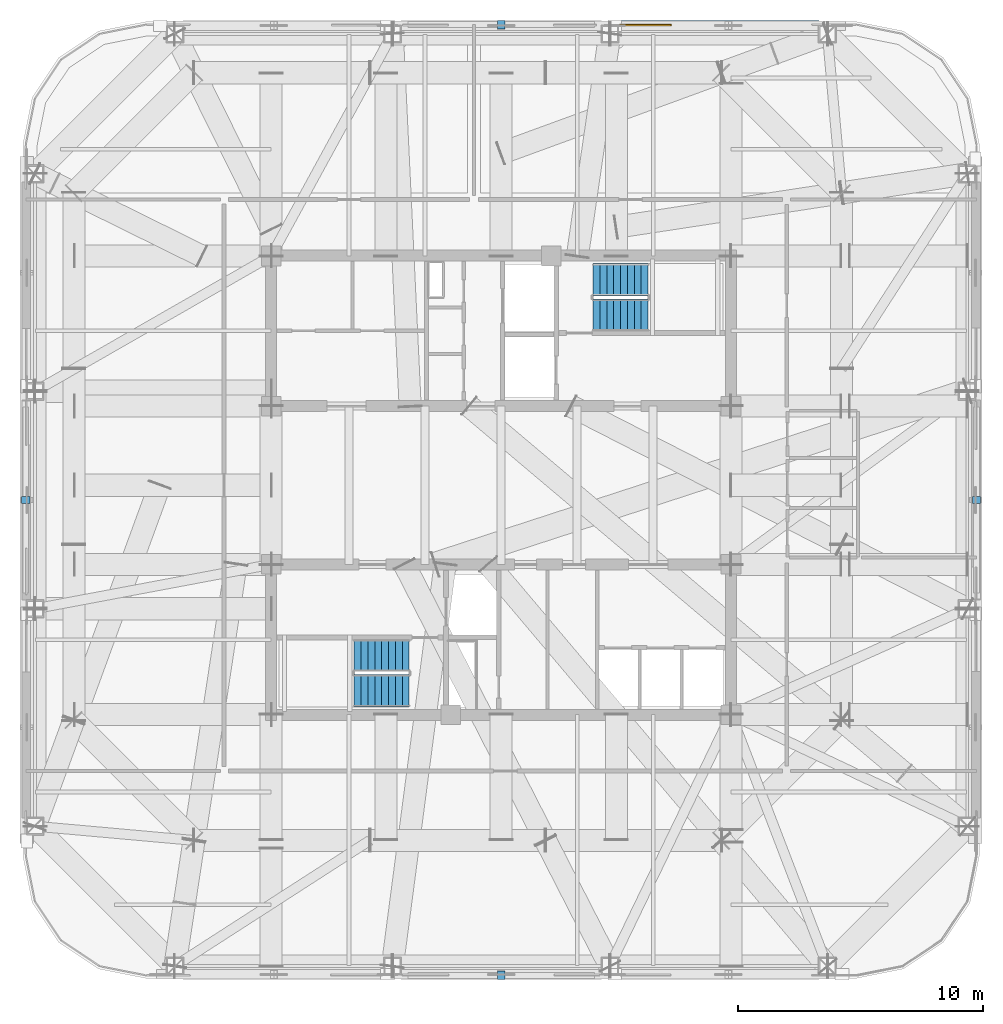
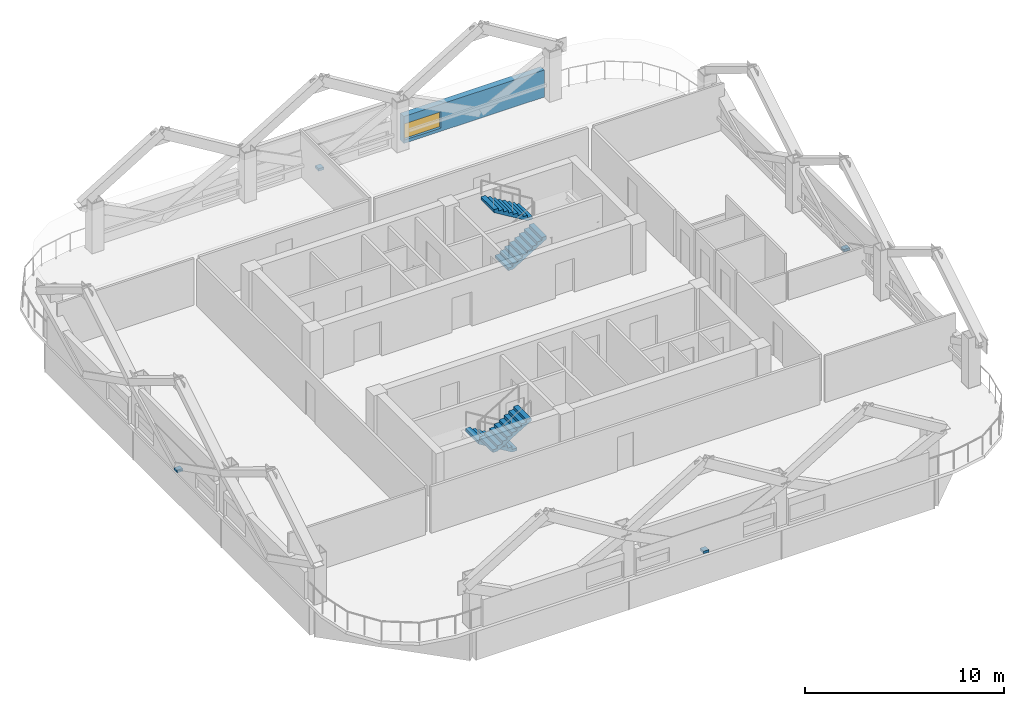
# One storey, part 8 of 11: 4 discrete accessories, 4 stair flights, 1 wall, 1 window, 1 opening, 2 elements without a shape of their own.
"""IFC4 building model written with IfcOpenShell, lengths in metres."""

from ifc_helpers import new_model, si_unit, direction, frame, frame_2d, origin, origin_2d, place, context, subcontext, project, spatial, polyline, rectangle, outline, extrude, material, layer, layer_set, type_object, element, fill, aggregate, save


model = new_model("IFC4")

# Units and contexts
model_context = context("Model", 3, precision=1e-05, world=origin(), true_north=direction((0.0, 1.0)))
body_context = subcontext(model_context, "Body", "Model", "MODEL_VIEW")
ifc_project = project(units=[si_unit("LENGTHUNIT", "METRE"), si_unit("AREAUNIT", "SQUARE_METRE"), si_unit("VOLUMEUNIT", "CUBIC_METRE"), si_unit("PLANEANGLEUNIT", "RADIAN"), si_unit("MASSUNIT", "GRAM", prefix="KILO")], contexts=[model_context])

# Site, building, storey
site_placement = place(None, origin())
site = spatial("IfcSite", under=ifc_project, at=site_placement, CompositionType="ELEMENT")
building_placement = place(site_placement, origin())
building = spatial("IfcBuilding", under=site, at=building_placement, Name="Qhalaya Broadcast Tower", CompositionType="ELEMENT")
storey_placement = place(building_placement, frame((0.0, 0.0, 199.5)))
storey = spatial("IfcBuildingStorey", under=building, at=storey_placement, Name="L58", CompositionType="ELEMENT", Elevation=199.5)

# Wall, opening, window
ifc_material_1 = material(Name="Precast Concrete C40/50", Category="concrete")
ifc_layer = layer(ifc_material_1, 0.360107421875, Name="Precast Concrete C40/50")
ifc_layer_set = layer_set([ifc_layer], Name="Precast Concrete C40/50")
wall_type = type_object("IfcWallType", Name="Insulated Precast Terracotta Exterior Wall 360", PredefinedType="SOLIDWALL", material=ifc_layer_set)
wall_placement = place(storey_placement, frame((4.783203125, 19.360107421875, 0.0), z_axis=(0.0, 0.0, 1.0), x_axis=(1.0, 0.0, 0.0)))
wall = element("IfcWall", 1, at=wall_placement, inside=storey, type_object=wall_type, Name="L58 Exoskeleton Diagrid Infill Wall N3", PredefinedType="SOLIDWALL", context=body_context, shape_type="SweptSolid", body=[
    extrude(rectangle(XDim=8.1787109375, YDim=0.360107421875, at=frame_2d((4.08935546875, 0.0))), origin(), (0.0, 0.0, 1.0), 1.662109375),
])
opening_placement = place(wall_placement, frame((0.054931640625, 0.0, 0.199951171875)))
opening = element("IfcOpeningElement", 2, at=opening_placement, cuts=wall, Name="Opening W13", PredefinedType="OPENING", context=body_context, shape_type="SweptSolid", body=[
    extrude(rectangle(XDim=2.10009765625, YDim=1.0, at=frame_2d((1.050048828125, 0.5))), frame((0.0, 0.192138671875, 0.0), z_axis=(0.0, -1.0, 0.0), x_axis=(1.0, 0.0, 0.0)), (0.0, 0.0, 1.0), 0.384033203125),
])
ifc_material_2 = material(Name="Solar-Control Low-E Triple Glazing", Category="glass")
window_type = type_object("IfcWindowType", Name="Upper-Block Diagrid Infill Window W13", PartitioningType="SINGLE_PANEL", PredefinedType="WINDOW", material=ifc_material_2)
window_placement = place(opening_placement, origin())
window = element("IfcWindow", 3, at=window_placement, inside=storey, type_object=window_type, Name="L58 Diagrid Infill Window W13-N4", OverallHeight=1.0, OverallWidth=2.10009765625, PartitioningType="SINGLE_PANEL", PredefinedType="WINDOW", context=body_context, shape_type="SweptSolid", body=[
    extrude(rectangle(XDim=2.10009765625, YDim=1.0, at=frame_2d((1.050048828125, 0.5))), frame((0.0, 0.030029296875, 0.0), z_axis=(0.0, -1.0, 0.0), x_axis=(1.0, 0.0, 0.0)), (0.0, 0.0, 1.0), 0.06005859375),
])
fill(opening, window)

# Stair, stair flights
ifc_material_3 = material(Name="Concrete C40/50", Category="concrete")
stair_type = type_object("IfcStairType", Name="Protected Dogleg Core Stair 3150", PredefinedType="TWO_STRAIGHT_RUN_STAIR", material=ifc_material_3)
stair_1_placement = place(storey_placement, origin())
stair_1 = element("IfcStair", 4, at=stair_1_placement, inside=storey, type_object=stair_type, Name="L58 North Core Exit Stair ST-1", PredefinedType="TWO_STRAIGHT_RUN_STAIR")
stair_flight_type = type_object("IfcStairFlightType", Name="Precast Concrete Stair Flight 3150", PredefinedType="STRAIGHT", material=ifc_material_1)
stair_flight_1_placement = place(storey_placement, frame((3.75, 7.5400390625, 0.0), z_axis=(0.0, 0.0, 1.0), x_axis=(1.0, 0.0, 0.0)))
stair_flight_1 = element("IfcStairFlight", 5, at=stair_flight_1_placement, type_object=stair_flight_type, Name="ST-1 flight 1", NumberOfRisers=9, NumberOfTreads=8, PredefinedType="STRAIGHT", RiserHeight=0.169444444, TreadLength=0.28, context=body_context, shape_type="SweptSolid", body=[
    extrude(outline(polyline([(0.0, 0.0), (0.0, 0.16943359375), (0.280029296875, 0.16943359375), (0.280029296875, 0.3388671875), (0.56005859375, 0.3388671875), (0.56005859375, 0.50830078125), (0.840087890625, 0.50830078125), (0.840087890625, 0.677734375), (1.1201171875, 0.677734375), (1.1201171875, 0.84716796875), (1.39990234375, 0.84716796875), (1.39990234375, 1.0166015625), (1.679931640625, 1.0166015625), (1.679931640625, 1.18603515625), (1.9599609375, 1.18603515625), (1.9599609375, 1.35546875), (2.239990234375, 1.35546875), (2.239990234375, 1.52490234375), (2.239990234375, 1.180419921875), (0.28955078125, 0.0), (0.0, 0.0)])), frame((0.0, 0.66015625, 0.0), z_axis=(0.0, -1.0, 0.0), x_axis=(1.0, 0.0, 0.0)), (0.0, 0.0, 1.0), 1.320068359375),
])
stair_flight_2_placement = place(storey_placement, frame((5.989990234375, 8.97998046875, 1.52490234375), z_axis=(0.0, 0.0, 1.0), x_axis=(-1.0, 0.0, 0.0)))
stair_flight_2 = element("IfcStairFlight", 6, at=stair_flight_2_placement, type_object=stair_flight_type, Name="ST-1 flight 2", NumberOfRisers=9, NumberOfTreads=8, PredefinedType="STRAIGHT", RiserHeight=0.169444444, TreadLength=0.28, context=body_context, shape_type="SweptSolid", body=[
    extrude(outline(polyline([(0.0, 0.0), (0.0, 0.16943359375), (0.280029296875, 0.16943359375), (0.280029296875, 0.3388671875), (0.56005859375, 0.3388671875), (0.56005859375, 0.50830078125), (0.840087890625, 0.50830078125), (0.840087890625, 0.677734375), (1.1201171875, 0.677734375), (1.1201171875, 0.84716796875), (1.39990234375, 0.84716796875), (1.39990234375, 1.0166015625), (1.679931640625, 1.0166015625), (1.679931640625, 1.18603515625), (1.9599609375, 1.18603515625), (1.9599609375, 1.35546875), (2.239990234375, 1.35546875), (2.239990234375, 1.52490234375), (2.239990234375, 1.180419921875), (0.28955078125, 0.0), (0.0, 0.0)])), frame((0.0, 0.66015625, 0.0), z_axis=(0.0, -1.0, 0.0), x_axis=(1.0, 0.0, 0.0)), (0.0, 0.0, 1.0), 1.320068359375),
])
aggregate(stair_1, [stair_flight_1, stair_flight_2])

stair_2_placement = place(storey_placement, origin())
stair_2 = element("IfcStair", 7, at=stair_2_placement, inside=storey, type_object=stair_type, Name="L58 South Core Exit Stair ST-2", PredefinedType="TWO_STRAIGHT_RUN_STAIR")
stair_flight_3_placement = place(storey_placement, frame((-3.75, -6.340087890625, 0.0), z_axis=(0.0, 0.0, 1.0), x_axis=(-1.0, 0.0, 0.0)))
stair_flight_3 = element("IfcStairFlight", 8, at=stair_flight_3_placement, type_object=stair_flight_type, Name="ST-2 flight 1", NumberOfRisers=9, NumberOfTreads=8, PredefinedType="STRAIGHT", RiserHeight=0.169444444, TreadLength=0.28, context=body_context, shape_type="SweptSolid", body=[
    extrude(outline(polyline([(0.0, 0.0), (0.0, 0.16943359375), (0.280029296875, 0.16943359375), (0.280029296875, 0.3388671875), (0.56005859375, 0.3388671875), (0.56005859375, 0.50830078125), (0.840087890625, 0.50830078125), (0.840087890625, 0.677734375), (1.1201171875, 0.677734375), (1.1201171875, 0.84716796875), (1.39990234375, 0.84716796875), (1.39990234375, 1.0166015625), (1.679931640625, 1.0166015625), (1.679931640625, 1.18603515625), (1.9599609375, 1.18603515625), (1.9599609375, 1.35546875), (2.239990234375, 1.35546875), (2.239990234375, 1.52490234375), (2.239990234375, 1.180419921875), (0.28955078125, 0.0), (0.0, 0.0)])), frame((0.0, 0.66015625, 0.0), z_axis=(0.0, -1.0, 0.0), x_axis=(1.0, 0.0, 0.0)), (0.0, 0.0, 1.0), 1.320068359375),
])
stair_flight_4_placement = place(storey_placement, frame((-5.989990234375, -7.780029296875, 1.52490234375), z_axis=(0.0, 0.0, 1.0), x_axis=(1.0, 0.0, 0.0)))
stair_flight_4 = element("IfcStairFlight", 9, at=stair_flight_4_placement, type_object=stair_flight_type, Name="ST-2 flight 2", NumberOfRisers=9, NumberOfTreads=8, PredefinedType="STRAIGHT", RiserHeight=0.169444444, TreadLength=0.28, context=body_context, shape_type="SweptSolid", body=[
    extrude(outline(polyline([(0.0, 0.0), (0.0, 0.16943359375), (0.280029296875, 0.16943359375), (0.280029296875, 0.3388671875), (0.56005859375, 0.3388671875), (0.56005859375, 0.50830078125), (0.840087890625, 0.50830078125), (0.840087890625, 0.677734375), (1.1201171875, 0.677734375), (1.1201171875, 0.84716796875), (1.39990234375, 0.84716796875), (1.39990234375, 1.0166015625), (1.679931640625, 1.0166015625), (1.679931640625, 1.18603515625), (1.9599609375, 1.18603515625), (1.9599609375, 1.35546875), (2.239990234375, 1.35546875), (2.239990234375, 1.52490234375), (2.239990234375, 1.180419921875), (0.28955078125, 0.0), (0.0, 0.0)])), frame((0.0, 0.66015625, 0.0), z_axis=(0.0, -1.0, 0.0), x_axis=(1.0, 0.0, 0.0)), (0.0, 0.0, 1.0), 1.320068359375),
])
aggregate(stair_2, [stair_flight_3, stair_flight_4])

# Discrete accessories
ifc_material_4 = material(Name="Structural Steel ASTM A572 Grade 50", Category="steel")
discrete_accessory_type = type_object("IfcDiscreteAccessoryType", Name="Facade Baguette Support Bracket BRK-01", PredefinedType="BRACKET", material=ifc_material_4)
for number, where, z_axis, x_axis, name in (
    (10, (0.0, -19.3798828125, 0.0), (0.0, 0.0, 1.0), (1.0, 0.0, 0.0), "L58 Baguette Support Bracket S"),
    (11, (19.3798828125, 0.0, 0.0), (0.0, 0.0, 1.0), (0.0, 1.0, 0.0), "L58 Baguette Support Bracket E"),
    (12, (0.0, 19.3798828125, 0.0), (0.0, 0.0, 1.0), (-1.0, 0.0, 0.0), "L58 Baguette Support Bracket N"),
    (13, (-19.3798828125, 0.0, 0.0), (0.0, 0.0, 1.0), (0.0, -1.0, 0.0), "L58 Baguette Support Bracket W"),
):
    element("IfcDiscreteAccessory", number, at=place(storey_placement, frame(where, z_axis=z_axis, x_axis=x_axis)), inside=storey, type_object=discrete_accessory_type, Name=name, PredefinedType="BRACKET", context=body_context, shape_type="SweptSolid", body=[
        extrude(rectangle(XDim=0.300048828125, YDim=0.340087890625, at=origin_2d()), origin(), (0.0, 0.0, 1.0), 0.159912109375),
    ])

save(model, "model.ifc")
